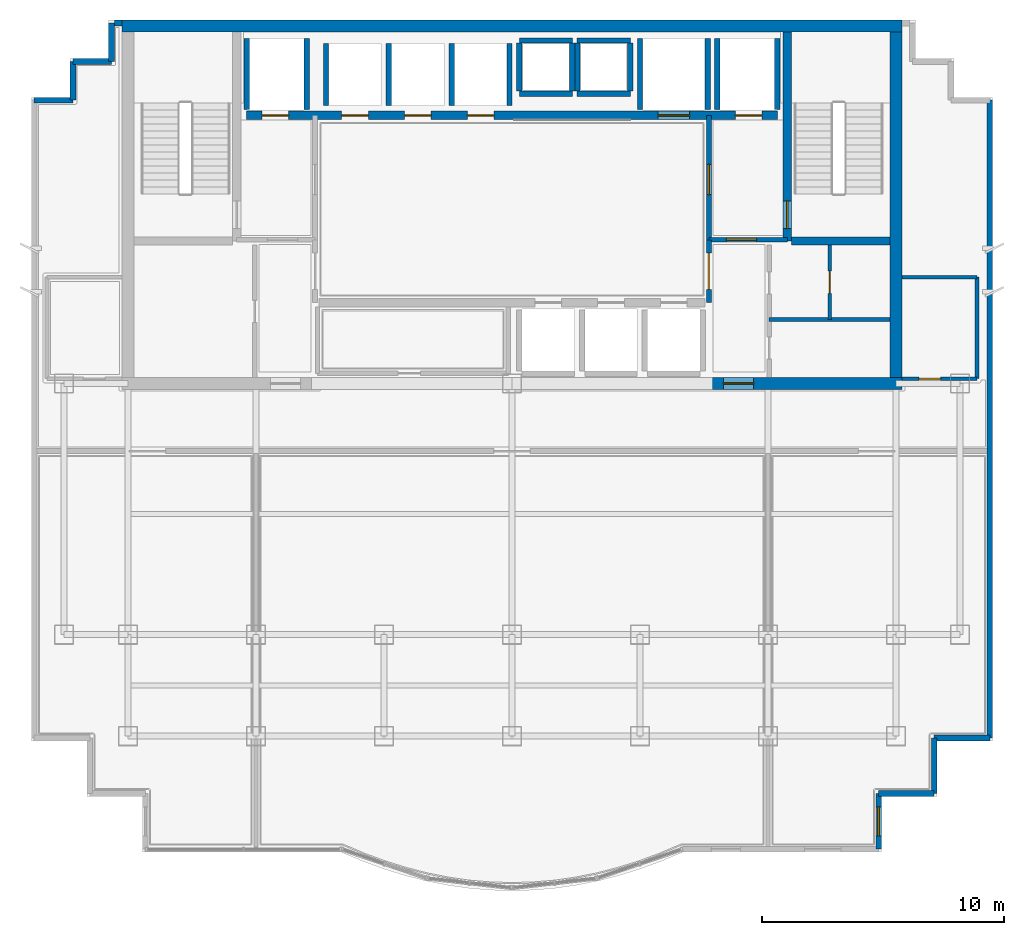
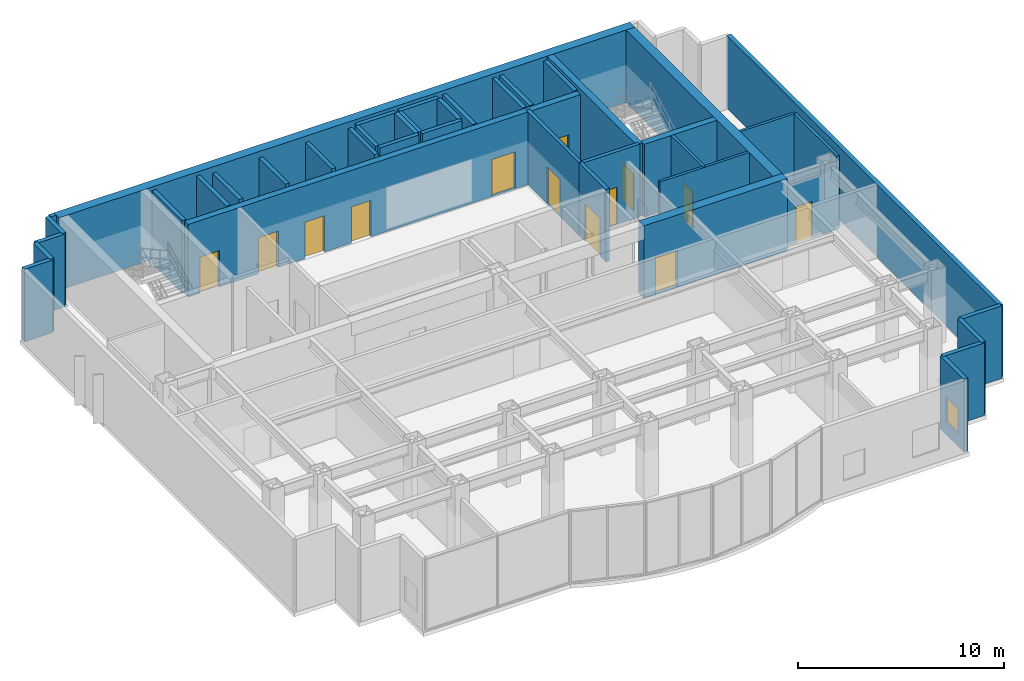
# One storey, part 5 of 8: 42 walls, 13 doors, 1 window, 14 openings.
"""IFC4 building model written with IfcOpenShell, lengths in metres."""

from ifc_helpers import new_model, si_unit, direction, frame, frame_2d, origin, place, context, subcontext, project, spatial, rectangle, extrude, material, layer, layer_set, type_object, element, fill, save


model = new_model("IFC4")

# Units and contexts
model_context = context("Model", 3, precision=1e-05, world=origin(), true_north=direction((0.0, 1.0)))
body_context = subcontext(model_context, "Body", "Model", "MODEL_VIEW")
ifc_project = project(units=[si_unit("LENGTHUNIT", "METRE"), si_unit("AREAUNIT", "SQUARE_METRE"), si_unit("VOLUMEUNIT", "CUBIC_METRE"), si_unit("PLANEANGLEUNIT", "RADIAN"), si_unit("MASSUNIT", "GRAM", prefix="KILO")], contexts=[model_context])

# Site, building, storey
site_placement = place(None, origin())
site = spatial("IfcSite", under=ifc_project, at=site_placement, CompositionType="ELEMENT")
building_placement = place(site_placement, origin())
building = spatial("IfcBuilding", under=site, at=building_placement, Name="Qianlan Lanfeng Residences", CompositionType="ELEMENT")
storey_placement = place(building_placement, frame((0.0, 0.0, 192.199951171875)))
storey = spatial("IfcBuildingStorey", under=building, at=storey_placement, Name="L52", CompositionType="ELEMENT", Elevation=192.199951171875)

# Wall, opening, door
ifc_material_1 = material(Name="Concrete C49", Category="concrete")
ifc_layer_1 = layer(ifc_material_1, 0.35009765625)
ifc_layer_set_1 = layer_set([ifc_layer_1], Name="Concrete C49")
wall_type_1 = type_object("IfcWallType", Name="CW-RC-350", PredefinedType="SHEAR", material=ifc_layer_set_1)
wall_1_placement = place(storey_placement, frame((37.89990234375, 31.10009765625, 0.0), z_axis=(0.0, 0.0, 1.0), x_axis=(0.0, 1.0, 0.0)))
wall_1 = element("IfcWall", 1, at=wall_1_placement, inside=storey, type_object=wall_type_1, Name="L52 Core Shear Wall ST2W", PredefinedType="SHEAR", context=body_context, shape_type="SweptSolid", body=[
    extrude(rectangle(XDim=8.64990234375, YDim=0.35009765625, at=frame_2d((4.324951171875, 0.0))), origin(), (0.0, 0.0, 1.0), 4.31005859375),
])
opening_1_placement = place(wall_1_placement, frame((0.510009765625, 0.0, 0.0)))
opening_1 = element("IfcOpeningElement", 2, at=opening_1_placement, cuts=wall_1, Name="Opening L52-D08", PredefinedType="OPENING", context=body_context, shape_type="SweptSolid", body=[
    extrude(rectangle(XDim=1.14990234375, YDim=2.199951171875, at=frame_2d((0.574951171875, 1.10009765625))), frame((0.0, 0.18505859375, 0.0), z_axis=(0.0, -1.0, 0.0), x_axis=(1.0, 0.0, 0.0)), (0.0, 0.0, 1.0), 0.3701171875),
])
ifc_material_2 = material(Name="Painted Galvanised Steel Fire Door", Category="steel")
door_type_1 = type_object("IfcDoorType", Name="DT-ST1", OperationType="NOTDEFINED", PredefinedType="DOOR", material=ifc_material_2)
door_1_placement = place(opening_1_placement, origin())
door_1 = element("IfcDoor", 3, at=door_1_placement, inside=storey, type_object=door_type_1, Name="L52 Exit Stair ST-2 Door L52-D08 (DT-ST1)", OperationType="SINGLE_SWING_RIGHT", OverallHeight=2.199951171875, OverallWidth=1.14990234375, PredefinedType="DOOR", context=body_context, shape_type="SweptSolid", body=[
    extrude(rectangle(XDim=1.14990234375, YDim=2.199951171875, at=frame_2d((0.574951171875, 1.10009765625))), frame((0.0, 0.02490234375, 0.0), z_axis=(0.0, -1.0, 0.0), x_axis=(1.0, 0.0, 0.0)), (0.0, 0.0, 1.0), 0.050048828125),
])
fill(opening_1, door_1)

# Wall
wall_2_placement = place(storey_placement, frame((38.074951171875, 31.10009765625, 0.0), z_axis=(0.0, 0.0, 1.0), x_axis=(1.0, 0.0, 0.0)))
element("IfcWall", 4, at=wall_2_placement, inside=storey, type_object=wall_type_1, Name="L52 Core Shear Wall ST2S", PredefinedType="SHEAR", context=body_context, shape_type="SweptSolid", body=[
    extrude(rectangle(XDim=4.074951171875, YDim=0.35009765625, at=frame_2d((2.03759765625, 0.0))), origin(), (0.0, 0.0, 1.0), 4.31005859375),
])

# Wall, openings, doors
wall_3_placement = place(storey_placement, frame((15.5, 36.300048828125, 0.0), z_axis=(0.0, 0.0, 1.0), x_axis=(1.0, 0.0, 0.0)))
wall_3 = element("IfcWall", 5, at=wall_3_placement, inside=storey, type_object=wall_type_1, Name="L52 Core Shear Wall LBN", PredefinedType="SHEAR", context=body_context, shape_type="SweptSolid", body=[
    extrude(rectangle(XDim=22.0, YDim=0.35009765625, at=frame_2d((11.0, 0.0))), origin(), (0.0, 0.0, 1.0), 4.31005859375),
])
opening_2_placement = place(wall_3_placement, frame((0.64990234375, 0.0, 0.0)))
opening_2 = element("IfcOpeningElement", 6, at=opening_2_placement, cuts=wall_3, Name="Opening L52-LD-FFL-1", PredefinedType="OPENING", context=body_context, shape_type="SweptSolid", body=[
    extrude(rectangle(XDim=1.10009765625, YDim=2.14990234375, at=frame_2d((0.550048828125, 1.074951171875))), frame((0.0, 0.18505859375, 0.0), z_axis=(0.0, -1.0, 0.0), x_axis=(1.0, 0.0, 0.0)), (0.0, 0.0, 1.0), 0.3701171875),
])
opening_3_placement = place(wall_3_placement, frame((20.25, 0.0, 0.0)))
opening_3 = element("IfcOpeningElement", 7, at=opening_3_placement, cuts=wall_3, Name="Opening L52-LD-FFL-2", PredefinedType="OPENING", context=body_context, shape_type="SweptSolid", body=[
    extrude(rectangle(XDim=1.10009765625, YDim=2.14990234375, at=frame_2d((0.550048828125, 1.074951171875))), frame((0.0, 0.18505859375, 0.0), z_axis=(0.0, -1.0, 0.0), x_axis=(1.0, 0.0, 0.0)), (0.0, 0.0, 1.0), 0.3701171875),
])
opening_4_placement = place(wall_3_placement, frame((17.050048828125, 0.0, 0.0)))
opening_4 = element("IfcOpeningElement", 8, at=opening_4_placement, cuts=wall_3, Name="Opening L52-LD-SVL-1", PredefinedType="OPENING", context=body_context, shape_type="SweptSolid", body=[
    extrude(rectangle(XDim=1.300048828125, YDim=2.199951171875, at=frame_2d((0.64990234375, 1.10009765625))), frame((0.0, 0.18505859375, 0.0), z_axis=(0.0, -1.0, 0.0), x_axis=(1.0, 0.0, 0.0)), (0.0, 0.0, 1.0), 0.3701171875),
])
opening_5_placement = place(wall_3_placement, frame((3.949951171875, 0.0, 0.0)))
opening_5 = element("IfcOpeningElement", 9, at=opening_5_placement, cuts=wall_3, Name="Opening L52-LD-PL-H1", PredefinedType="OPENING", context=body_context, shape_type="SweptSolid", body=[
    extrude(rectangle(XDim=1.10009765625, YDim=2.14990234375, at=frame_2d((0.550048828125, 1.074951171875))), frame((0.0, 0.18505859375, 0.0), z_axis=(0.0, -1.0, 0.0), x_axis=(1.0, 0.0, 0.0)), (0.0, 0.0, 1.0), 0.3701171875),
])
opening_6_placement = place(wall_3_placement, frame((6.550048828125, 0.0, 0.0)))
opening_6 = element("IfcOpeningElement", 10, at=opening_6_placement, cuts=wall_3, Name="Opening L52-LD-PL-H2", PredefinedType="OPENING", context=body_context, shape_type="SweptSolid", body=[
    extrude(rectangle(XDim=1.10009765625, YDim=2.14990234375, at=frame_2d((0.550048828125, 1.074951171875))), frame((0.0, 0.18505859375, 0.0), z_axis=(0.0, -1.0, 0.0), x_axis=(1.0, 0.0, 0.0)), (0.0, 0.0, 1.0), 0.3701171875),
])
opening_7_placement = place(wall_3_placement, frame((9.14990234375, 0.0, 0.0)))
opening_7 = element("IfcOpeningElement", 11, at=opening_7_placement, cuts=wall_3, Name="Opening L52-LD-PL-H3", PredefinedType="OPENING", context=body_context, shape_type="SweptSolid", body=[
    extrude(rectangle(XDim=1.10009765625, YDim=2.14990234375, at=frame_2d((0.550048828125, 1.074951171875))), frame((0.0, 0.18505859375, 0.0), z_axis=(0.0, -1.0, 0.0), x_axis=(1.0, 0.0, 0.0)), (0.0, 0.0, 1.0), 0.3701171875),
])
ifc_material_3 = material(Name="Brushed Stainless Steel Sliding Lift Door", Category="steel")
door_type_2 = type_object("IfcDoorType", Name="LD-01", OperationType="NOTDEFINED", PredefinedType="DOOR", material=ifc_material_3)
door_2_placement = place(opening_2_placement, frame((1.10009765625, 0.0, 0.0), z_axis=(0.0, 0.0, 1.0), x_axis=(-1.0, 0.0, 0.0)))
door_2 = element("IfcDoor", 12, at=door_2_placement, inside=storey, type_object=door_type_2, Name="L52 Elevator FFL-1 Sliding Landing Door", OperationType="DOUBLE_DOOR_SLIDING", OverallHeight=2.14990234375, OverallWidth=1.10009765625, PredefinedType="DOOR", context=body_context, shape_type="SweptSolid", body=[
    extrude(rectangle(XDim=1.10009765625, YDim=2.14990234375, at=frame_2d((0.550048828125, 1.074951171875))), frame((0.0, 0.02490234375, 0.0), z_axis=(0.0, -1.0, 0.0), x_axis=(1.0, 0.0, 0.0)), (0.0, 0.0, 1.0), 0.050048828125),
])
fill(opening_2, door_2)
door_3_placement = place(opening_3_placement, frame((1.10009765625, 0.0, 0.0), z_axis=(0.0, 0.0, 1.0), x_axis=(-1.0, 0.0, 0.0)))
door_3 = element("IfcDoor", 13, at=door_3_placement, inside=storey, type_object=door_type_2, Name="L52 Elevator FFL-2 Sliding Landing Door", OperationType="DOUBLE_DOOR_SLIDING", OverallHeight=2.14990234375, OverallWidth=1.10009765625, PredefinedType="DOOR", context=body_context, shape_type="SweptSolid", body=[
    extrude(rectangle(XDim=1.10009765625, YDim=2.14990234375, at=frame_2d((0.550048828125, 1.074951171875))), frame((0.0, 0.02490234375, 0.0), z_axis=(0.0, -1.0, 0.0), x_axis=(1.0, 0.0, 0.0)), (0.0, 0.0, 1.0), 0.050048828125),
])
fill(opening_3, door_3)
door_4_placement = place(opening_5_placement, frame((1.10009765625, 0.0, 0.0), z_axis=(0.0, 0.0, 1.0), x_axis=(-1.0, 0.0, 0.0)))
door_4 = element("IfcDoor", 14, at=door_4_placement, inside=storey, type_object=door_type_2, Name="L52 Elevator PL-H1 Sliding Landing Door", OperationType="DOUBLE_DOOR_SLIDING", OverallHeight=2.14990234375, OverallWidth=1.10009765625, PredefinedType="DOOR", context=body_context, shape_type="SweptSolid", body=[
    extrude(rectangle(XDim=1.10009765625, YDim=2.14990234375, at=frame_2d((0.550048828125, 1.074951171875))), frame((0.0, 0.02490234375, 0.0), z_axis=(0.0, -1.0, 0.0), x_axis=(1.0, 0.0, 0.0)), (0.0, 0.0, 1.0), 0.050048828125),
])
fill(opening_5, door_4)
door_5_placement = place(opening_6_placement, frame((1.10009765625, 0.0, 0.0), z_axis=(0.0, 0.0, 1.0), x_axis=(-1.0, 0.0, 0.0)))
door_5 = element("IfcDoor", 15, at=door_5_placement, inside=storey, type_object=door_type_2, Name="L52 Elevator PL-H2 Sliding Landing Door", OperationType="DOUBLE_DOOR_SLIDING", OverallHeight=2.14990234375, OverallWidth=1.10009765625, PredefinedType="DOOR", context=body_context, shape_type="SweptSolid", body=[
    extrude(rectangle(XDim=1.10009765625, YDim=2.14990234375, at=frame_2d((0.550048828125, 1.074951171875))), frame((0.0, 0.02490234375, 0.0), z_axis=(0.0, -1.0, 0.0), x_axis=(1.0, 0.0, 0.0)), (0.0, 0.0, 1.0), 0.050048828125),
])
fill(opening_6, door_5)
door_6_placement = place(opening_7_placement, frame((1.10009765625, 0.0, 0.0), z_axis=(0.0, 0.0, 1.0), x_axis=(-1.0, 0.0, 0.0)))
door_6 = element("IfcDoor", 16, at=door_6_placement, inside=storey, type_object=door_type_2, Name="L52 Elevator PL-H3 Sliding Landing Door", OperationType="DOUBLE_DOOR_SLIDING", OverallHeight=2.14990234375, OverallWidth=1.10009765625, PredefinedType="DOOR", context=body_context, shape_type="SweptSolid", body=[
    extrude(rectangle(XDim=1.10009765625, YDim=2.14990234375, at=frame_2d((0.550048828125, 1.074951171875))), frame((0.0, 0.02490234375, 0.0), z_axis=(0.0, -1.0, 0.0), x_axis=(1.0, 0.0, 0.0)), (0.0, 0.0, 1.0), 0.050048828125),
])
fill(opening_7, door_6)
door_type_3 = type_object("IfcDoorType", Name="LD-02", OperationType="NOTDEFINED", PredefinedType="DOOR", material=ifc_material_3)
door_7_placement = place(opening_4_placement, frame((1.300048828125, 0.0, 0.0), z_axis=(0.0, 0.0, 1.0), x_axis=(-1.0, 0.0, 0.0)))
door_7 = element("IfcDoor", 17, at=door_7_placement, inside=storey, type_object=door_type_3, Name="L52 Elevator SVL-1 Sliding Landing Door", OperationType="DOUBLE_DOOR_SLIDING", OverallHeight=2.199951171875, OverallWidth=1.300048828125, PredefinedType="DOOR", context=body_context, shape_type="SweptSolid", body=[
    extrude(rectangle(XDim=1.300048828125, YDim=2.199951171875, at=frame_2d((0.64990234375, 1.10009765625))), frame((0.0, 0.02490234375, 0.0), z_axis=(0.0, -1.0, 0.0), x_axis=(1.0, 0.0, 0.0)), (0.0, 0.0, 1.0), 0.050048828125),
])
fill(opening_4, door_7)

# Walls
ifc_material_4 = material(Name="Concrete C70", Category="concrete")
ifc_layer_2 = layer(ifc_material_4, 0.5)
ifc_layer_set_2 = layer_set([ifc_layer_2], Name="Concrete C70")
wall_type_2 = type_object("IfcWallType", Name="CW-RC-500", PredefinedType="SHEAR", material=ifc_layer_set_2)
wall_4_placement = place(storey_placement, frame((10.35009765625, 40.0, 0.0), z_axis=(0.0, 0.0, 1.0), x_axis=(1.0, 0.0, 0.0)))
element("IfcWall", 18, at=wall_4_placement, inside=storey, type_object=wall_type_2, Name="L52 Core Shear Wall N", PredefinedType="SHEAR", context=body_context, shape_type="SweptSolid", body=[
    extrude(rectangle(XDim=32.2998046875, YDim=0.5, at=frame_2d((16.14990234375, 0.0))), origin(), (0.0, 0.0, 1.0), 4.31005859375),
])
wall_5_placement = place(storey_placement, frame((42.39990234375, 25.449951171875, 0.0), z_axis=(0.0, 0.0, 1.0), x_axis=(0.0, 1.0, 0.0)))
element("IfcWall", 19, at=wall_5_placement, inside=storey, type_object=wall_type_2, Name="L52 Core Shear Wall E", PredefinedType="SHEAR", context=body_context, shape_type="SweptSolid", body=[
    extrude(rectangle(XDim=14.300048828125, YDim=0.5, at=frame_2d((7.14990234375, 0.0))), origin(), (0.0, 0.0, 1.0), 4.31005859375),
])

# Wall, opening, door
wall_6_placement = place(storey_placement, frame((34.60009765625, 25.199951171875, 0.0), z_axis=(0.0, 0.0, 1.0), x_axis=(1.0, 0.0, 0.0)))
wall_6 = element("IfcWall", 20, at=wall_6_placement, inside=storey, type_object=wall_type_2, Name="L52 Core Shear Wall SE", PredefinedType="SHEAR", context=body_context, shape_type="SweptSolid", body=[
    extrude(rectangle(XDim=8.0498046875, YDim=0.5, at=frame_2d((4.02490234375, 0.0))), origin(), (0.0, 0.0, 1.0), 4.31005859375),
])
opening_8_placement = place(wall_6_placement, frame((0.64990234375, 0.0, 0.0)))
opening_8 = element("IfcOpeningElement", 21, at=opening_8_placement, cuts=wall_6, Name="Opening L52-D02", PredefinedType="OPENING", context=body_context, shape_type="SweptSolid", body=[
    extrude(rectangle(XDim=1.25, YDim=2.199951171875, at=frame_2d((0.625, 1.10009765625))), frame((0.0, 0.260009765625, 0.0), z_axis=(0.0, -1.0, 0.0), x_axis=(1.0, 0.0, 0.0)), (0.0, 0.0, 1.0), 0.52001953125),
])
door_type_4 = type_object("IfcDoorType", Name="DT-FFL", OperationType="NOTDEFINED", PredefinedType="DOOR", material=ifc_material_2)
door_8_placement = place(opening_8_placement, frame((1.25, 0.0, 0.0), z_axis=(0.0, 0.0, 1.0), x_axis=(-1.0, 0.0, 0.0)))
door_8 = element("IfcDoor", 22, at=door_8_placement, inside=storey, type_object=door_type_4, Name="L52 East Core Lobby Smoke Door L52-D02 (DT-FFL)", OperationType="SINGLE_SWING_LEFT", OverallHeight=2.199951171875, OverallWidth=1.25, PredefinedType="DOOR", context=body_context, shape_type="SweptSolid", body=[
    extrude(rectangle(XDim=1.25, YDim=2.199951171875, at=frame_2d((0.625, 1.10009765625))), frame((0.0, 0.02490234375, 0.0), z_axis=(0.0, -1.0, 0.0), x_axis=(1.0, 0.0, 0.0)), (0.0, 0.0, 1.0), 0.050048828125),
])
fill(opening_8, door_8)

# Wall, opening, window
ifc_material_5 = material(Name="Concrete C42", Category="concrete")
ifc_layer_3 = layer(ifc_material_5, 0.239990234375)
ifc_layer_set_3 = layer_set([ifc_layer_3], Name="Concrete C42")
wall_type_3 = type_object("IfcWallType", Name="EW-240", PredefinedType="SOLIDWALL", material=ifc_layer_set_3)
wall_7_placement = place(storey_placement, frame((41.679931640625, 5.919921875, 0.0), z_axis=(0.0, 0.0, 1.0), x_axis=(0.0, 1.0, 0.0)))
wall_7 = element("IfcWall", 23, at=wall_7_placement, inside=storey, type_object=wall_type_3, Name="L52 Exterior Facade Spandrel Wall 6", PredefinedType="SOLIDWALL", context=body_context, shape_type="SweptSolid", body=[
    extrude(rectangle(XDim=2.300048828125, YDim=0.239990234375, at=frame_2d((1.14990234375, 0.0))), origin(), (0.0, 0.0, 1.0), 4.31005859375),
])
opening_9_placement = place(wall_7_placement, frame((0.550048828125, 0.0, 0.75)))
opening_9 = element("IfcOpeningElement", 24, at=opening_9_placement, cuts=wall_7, Name="Opening W-03", PredefinedType="OPENING", context=body_context, shape_type="SweptSolid", body=[
    extrude(rectangle(XDim=1.199951171875, YDim=1.5, at=frame_2d((0.60009765625, 0.75))), frame((0.0, 0.1298828125, 0.0), z_axis=(0.0, -1.0, 0.0), x_axis=(1.0, 0.0, 0.0)), (0.0, 0.0, 1.0), 0.260009765625),
])
ifc_material_6 = material(Name="Anodised Bronze Aluminium Framed Double Glazing", Category="aluminium")
window_type = type_object("IfcWindowType", Name="W-03", PartitioningType="SINGLE_PANEL", PredefinedType="WINDOW", material=ifc_material_6)
window_placement = place(opening_9_placement, origin())
window = element("IfcWindow", 25, at=window_placement, inside=storey, type_object=window_type, Name="L52 Facade Punched Window W-03", OverallHeight=1.5, OverallWidth=1.199951171875, PartitioningType="SINGLE_PANEL", PredefinedType="WINDOW", context=body_context, shape_type="SweptSolid", body=[
    extrude(rectangle(XDim=1.199951171875, YDim=1.5, at=frame_2d((0.60009765625, 0.75))), frame((0.0, 0.030029296875, 0.0), z_axis=(0.0, -1.0, 0.0), x_axis=(1.0, 0.0, 0.0)), (0.0, 0.0, 1.0), 0.06005859375),
])
fill(opening_9, window)

# Walls
for number, where, z_axis, x_axis, name in (
    (26, (41.679931640625, 8.219970703125, 0.0), (0.0, 0.0, 1.0), (1.0, 0.0, 0.0), "L52 Exterior Facade Spandrel Wall 7"),
    (27, (43.97998046875, 8.219970703125, 0.0), (0.0, 0.0, 1.0), (0.0, 1.0, 0.0), "L52 Exterior Facade Spandrel Wall 8"),
    (28, (43.97998046875, 10.52001953125, 0.0), (0.0, 0.0, 1.0), (1.0, 0.0, 0.0), "L52 Exterior Facade Spandrel Wall 9"),
):
    element("IfcWall", number, at=place(storey_placement, frame(where, z_axis=z_axis, x_axis=x_axis)), inside=storey, type_object=wall_type_3, Name=name, PredefinedType="SOLIDWALL", context=body_context, shape_type="SweptSolid", body=[
        extrude(rectangle(XDim=2.300048828125, YDim=0.239990234375, at=frame_2d((1.14990234375, 0.0))), origin(), (0.0, 0.0, 1.0), 4.31005859375),
    ])
wall_8_placement = place(storey_placement, frame((46.280029296875, 10.52001953125, 0.0), z_axis=(0.0, 0.0, 1.0), x_axis=(0.0, 1.0, 0.0)))
element("IfcWall", 29, at=wall_8_placement, inside=storey, type_object=wall_type_3, Name="L52 Exterior Facade Spandrel Wall 10", PredefinedType="SOLIDWALL", context=body_context, shape_type="SweptSolid", body=[
    extrude(rectangle(XDim=26.409912109375, YDim=0.239990234375, at=frame_2d((13.205078125, 0.0))), origin(), (0.0, 0.0, 1.0), 4.31005859375),
])
wall_9_placement = place(storey_placement, frame((10.35009765625, 40.1298828125, 0.0), z_axis=(0.0, 0.0, 1.0), x_axis=(-1.0, 0.0, 0.0)))
element("IfcWall", 30, at=wall_9_placement, inside=storey, type_object=wall_type_3, Name="L52 North Wing Exterior Wall W", PredefinedType="SOLIDWALL", context=body_context, shape_type="SweptSolid", body=[
    extrude(rectangle(XDim=0.300048828125, YDim=0.239990234375, at=frame_2d((0.14990234375, 0.0))), origin(), (0.0, 0.0, 1.0), 4.31005859375),
])
for number, where, z_axis, x_axis, name in (
    (31, (9.919921875, 40.1298828125, 0.0), (0.0, 0.0, 1.0), (0.0, -1.0, 0.0), "L52 Exterior Facade Spandrel Wall 17"),
    (32, (9.919921875, 38.530029296875, 0.0), (0.0, 0.0, 1.0), (-1.0, 0.0, 0.0), "L52 Exterior Facade Spandrel Wall 18"),
):
    element("IfcWall", number, at=place(storey_placement, frame(where, z_axis=z_axis, x_axis=x_axis)), inside=storey, type_object=wall_type_3, Name=name, PredefinedType="SOLIDWALL", context=body_context, shape_type="SweptSolid", body=[
        extrude(rectangle(XDim=1.599853515625, YDim=0.239990234375, at=frame_2d((0.7998046875, 0.0))), origin(), (0.0, 0.0, 1.0), 4.31005859375),
    ])
for number, where, z_axis, x_axis, name in (
    (33, (8.320068359375, 38.530029296875, 0.0), (0.0, 0.0, 1.0), (0.0, -1.0, 0.0), "L52 Exterior Facade Spandrel Wall 19"),
    (34, (8.320068359375, 36.929931640625, 0.0), (0.0, 0.0, 1.0), (-1.0, 0.0, 0.0), "L52 Exterior Facade Spandrel Wall 20"),
):
    element("IfcWall", number, at=place(storey_placement, frame(where, z_axis=z_axis, x_axis=x_axis)), inside=storey, type_object=wall_type_3, Name=name, PredefinedType="SOLIDWALL", context=body_context, shape_type="SweptSolid", body=[
        extrude(rectangle(XDim=1.60009765625, YDim=0.239990234375, at=frame_2d((0.800048828125, 0.0))), origin(), (0.0, 0.0, 1.0), 4.31005859375),
    ])
ifc_material_7 = material(Name="Acoustic Drywall Partition 150 mm")
ifc_layer_4 = layer(ifc_material_7, 0.14990234375)
ifc_layer_set_4 = layer_set([ifc_layer_4], Name="Acoustic Drywall Partition 150 mm")
wall_type_4 = type_object("IfcWallType", Name="PW-150", PredefinedType="PARTITIONING", material=ifc_layer_set_4)
wall_10_placement = place(storey_placement, frame((37.14990234375, 27.85009765625, 0.0), z_axis=(0.0, 0.0, 1.0), x_axis=(1.0, 0.0, 0.0)))
element("IfcWall", 35, at=wall_10_placement, inside=storey, type_object=wall_type_4, Name="L52 Core East H Split", PredefinedType="PARTITIONING", context=body_context, shape_type="SweptSolid", body=[
    extrude(rectangle(XDim=5.0, YDim=0.14990234375, at=frame_2d((2.5, 0.0))), origin(), (0.0, 0.0, 1.0), 4.31005859375),
])

# Wall, opening, door
wall_11_placement = place(storey_placement, frame((39.64990234375, 27.85009765625, 0.0), z_axis=(0.0, 0.0, 1.0), x_axis=(0.0, 1.0, 0.0)))
wall_11 = element("IfcWall", 36, at=wall_11_placement, inside=storey, type_object=wall_type_4, Name="L52 Core East V Split", PredefinedType="PARTITIONING", context=body_context, shape_type="SweptSolid", body=[
    extrude(rectangle(XDim=3.074951171875, YDim=0.14990234375, at=frame_2d((1.53759765625, 0.0))), origin(), (0.0, 0.0, 1.0), 4.31005859375),
])
opening_10_placement = place(wall_11_placement, frame((1.077880859375, 0.0, 0.0)))
opening_10 = element("IfcOpeningElement", 37, at=opening_10_placement, cuts=wall_11, Name="Opening L52-D12", PredefinedType="OPENING", context=body_context, shape_type="SweptSolid", body=[
    extrude(rectangle(XDim=0.919921875, YDim=2.14990234375, at=frame_2d((0.4599609375, 1.074951171875))), frame((0.0, 0.0849609375, 0.0), z_axis=(0.0, -1.0, 0.0), x_axis=(1.0, 0.0, 0.0)), (0.0, 0.0, 1.0), 0.169921875),
])
ifc_material_8 = material(Name="Glazed Timber Kitchen/Study Door", Category="wood")
door_type_5 = type_object("IfcDoorType", Name="DT-INT", OperationType="NOTDEFINED", PredefinedType="DOOR", material=ifc_material_8)
door_9_placement = place(opening_10_placement, origin())
door_9 = element("IfcDoor", 38, at=door_9_placement, inside=storey, type_object=door_type_5, Name="L52 Inner Supply Closet Door L52-D12 (DT-INT)", OperationType="SINGLE_SWING_LEFT", OverallHeight=2.14990234375, OverallWidth=0.919921875, PredefinedType="DOOR", context=body_context, shape_type="SweptSolid", body=[
    extrude(rectangle(XDim=0.919921875, YDim=2.14990234375, at=frame_2d((0.4599609375, 1.074951171875))), frame((0.0, 0.02490234375, 0.0), z_axis=(0.0, -1.0, 0.0), x_axis=(1.0, 0.0, 0.0)), (0.0, 0.0, 1.0), 0.050048828125),
])
fill(opening_10, door_9)

wall_12_placement = place(storey_placement, frame((42.64990234375, 25.39990234375, 0.0), z_axis=(0.0, 0.0, 1.0), x_axis=(1.0, 0.0, 0.0)))
wall_12 = element("IfcWall", 39, at=wall_12_placement, inside=storey, type_object=wall_type_4, Name="L52 Accessible WC South Wall", PredefinedType="PARTITIONING", context=body_context, shape_type="SweptSolid", body=[
    extrude(rectangle(XDim=3.10009765625, YDim=0.14990234375, at=frame_2d((1.550048828125, 0.0))), origin(), (0.0, 0.0, 1.0), 3.655029296875),
])
opening_11_placement = place(wall_12_placement, frame((0.699951171875, 0.0, 0.0)))
opening_11 = element("IfcOpeningElement", 40, at=opening_11_placement, cuts=wall_12, Name="Opening L52-D20", PredefinedType="OPENING", context=body_context, shape_type="SweptSolid", body=[
    extrude(rectangle(XDim=0.89990234375, YDim=2.14990234375, at=frame_2d((0.449951171875, 1.074951171875))), frame((0.0, 0.0849609375, 0.0), z_axis=(0.0, -1.0, 0.0), x_axis=(1.0, 0.0, 0.0)), (0.0, 0.0, 1.0), 0.169921875),
])
ifc_material_9 = material(Name="Moisture-Resistant Timber Leaf", Category="wood")
door_type_6 = type_object("IfcDoorType", Name="DT-WC", OperationType="NOTDEFINED", PredefinedType="DOOR", material=ifc_material_9)
door_10_placement = place(opening_11_placement, origin())
door_10 = element("IfcDoor", 41, at=door_10_placement, inside=storey, type_object=door_type_6, Name="L52 Accessible WC Door L52-D20 (DT-WC)", OperationType="SINGLE_SWING_LEFT", OverallHeight=2.14990234375, OverallWidth=0.89990234375, PredefinedType="DOOR", context=body_context, shape_type="SweptSolid", body=[
    extrude(rectangle(XDim=0.89990234375, YDim=2.14990234375, at=frame_2d((0.449951171875, 1.074951171875))), frame((0.0, 0.02490234375, 0.0), z_axis=(0.0, -1.0, 0.0), x_axis=(1.0, 0.0, 0.0)), (0.0, 0.0, 1.0), 0.050048828125),
])
fill(opening_11, door_10)

# Walls
wall_13_placement = place(storey_placement, frame((45.75, 25.39990234375, 0.0), z_axis=(0.0, 0.0, 1.0), x_axis=(0.0, 1.0, 0.0)))
element("IfcWall", 42, at=wall_13_placement, inside=storey, type_object=wall_type_4, Name="L52 Accessible WC East Wall", PredefinedType="PARTITIONING", context=body_context, shape_type="SweptSolid", body=[
    extrude(rectangle(XDim=4.2001953125, YDim=0.14990234375, at=frame_2d((2.10009765625, 0.0))), origin(), (0.0, 0.0, 1.0), 4.31005859375),
])
wall_14_placement = place(storey_placement, frame((42.64990234375, 29.60009765625, 0.0), z_axis=(0.0, 0.0, 1.0), x_axis=(1.0, 0.0, 0.0)))
element("IfcWall", 43, at=wall_14_placement, inside=storey, type_object=wall_type_4, Name="L52 Accessible WC North Wall", PredefinedType="PARTITIONING", context=body_context, shape_type="SweptSolid", body=[
    extrude(rectangle(XDim=3.10009765625, YDim=0.14990234375, at=frame_2d((1.550048828125, 0.0))), origin(), (0.0, 0.0, 1.0), 4.31005859375),
])

# Wall, opening, door
ifc_material_10 = material(Name="Autoclaved Aerated Concrete Blockwork 200 mm", Category="masonry")
ifc_layer_5 = layer(ifc_material_10, 0.199951171875)
ifc_layer_set_5 = layer_set([ifc_layer_5], Name="Autoclaved Aerated Concrete Blockwork 200 mm")
wall_type_5 = type_object("IfcWallType", Name="PW-200", PredefinedType="PARTITIONING", material=ifc_layer_set_5)
wall_15_placement = place(storey_placement, frame((34.64990234375, 31.14990234375, 0.0), z_axis=(0.0, 0.0, 1.0), x_axis=(1.0, 0.0, 0.0)))
wall_15 = element("IfcWall", 44, at=wall_15_placement, inside=storey, type_object=wall_type_5, Name="L52 Firefighting Lobby 2 South Wall", PredefinedType="PARTITIONING", context=body_context, shape_type="SweptSolid", body=[
    extrude(rectangle(XDim=3.25, YDim=0.199951171875, at=frame_2d((1.625, 0.0))), origin(), (0.0, 0.0, 1.0), 4.31005859375),
])
opening_12_placement = place(wall_15_placement, frame((0.72509765625, 0.0, 0.0)))
opening_12 = element("IfcOpeningElement", 45, at=opening_12_placement, cuts=wall_15, Name="Opening L52-D05", PredefinedType="OPENING", context=body_context, shape_type="SweptSolid", body=[
    extrude(rectangle(XDim=1.25, YDim=2.199951171875, at=frame_2d((0.625, 1.10009765625))), frame((0.0, 0.10986328125, 0.0), z_axis=(0.0, -1.0, 0.0), x_axis=(1.0, 0.0, 0.0)), (0.0, 0.0, 1.0), 0.219970703125),
])
door_11_placement = place(opening_12_placement, origin())
door_11 = element("IfcDoor", 46, at=door_11_placement, inside=storey, type_object=door_type_4, Name="L52 Firefighting Lobby 2 Entry Door L52-D05 (DT-FFL)", OperationType="SINGLE_SWING_RIGHT", OverallHeight=2.199951171875, OverallWidth=1.25, PredefinedType="DOOR", context=body_context, shape_type="SweptSolid", body=[
    extrude(rectangle(XDim=1.25, YDim=2.199951171875, at=frame_2d((0.625, 1.10009765625))), frame((0.0, 0.02490234375, 0.0), z_axis=(0.0, -1.0, 0.0), x_axis=(1.0, 0.0, 0.0)), (0.0, 0.0, 1.0), 0.050048828125),
])
fill(opening_12, door_11)

wall_16_placement = place(storey_placement, frame((34.64990234375, 31.14990234375, 0.0), z_axis=(0.0, 0.0, 1.0), x_axis=(0.0, 1.0, 0.0)))
wall_16 = element("IfcWall", 47, at=wall_16_placement, inside=storey, type_object=wall_type_5, Name="L52 Firefighting Lobby 2 West Wall", PredefinedType="PARTITIONING", context=body_context, shape_type="SweptSolid", body=[
    extrude(rectangle(XDim=5.150146484375, YDim=0.199951171875, at=frame_2d((2.5751953125, 0.0))), origin(), (0.0, 0.0, 1.0), 4.31005859375),
])
opening_13_placement = place(wall_16_placement, frame((1.875, 0.0, 0.0)))
opening_13 = element("IfcOpeningElement", 48, at=opening_13_placement, cuts=wall_16, Name="Opening L52-D06", PredefinedType="OPENING", context=body_context, shape_type="SweptSolid", body=[
    extrude(rectangle(XDim=1.25, YDim=2.199951171875, at=frame_2d((0.625, 1.10009765625))), frame((0.0, 0.10986328125, 0.0), z_axis=(0.0, -1.0, 0.0), x_axis=(1.0, 0.0, 0.0)), (0.0, 0.0, 1.0), 0.219970703125),
])
door_12_placement = place(opening_13_placement, origin())
door_12 = element("IfcDoor", 49, at=door_12_placement, inside=storey, type_object=door_type_4, Name="L52 Firefighting Lobby 2 Lift Lobby Door L52-D06 (DT-FFL)", OperationType="SINGLE_SWING_LEFT", OverallHeight=2.199951171875, OverallWidth=1.25, PredefinedType="DOOR", context=body_context, shape_type="SweptSolid", body=[
    extrude(rectangle(XDim=1.25, YDim=2.199951171875, at=frame_2d((0.625, 1.10009765625))), frame((0.0, 0.02490234375, 0.0), z_axis=(0.0, -1.0, 0.0), x_axis=(1.0, 0.0, 0.0)), (0.0, 0.0, 1.0), 0.050048828125),
])
fill(opening_13, door_12)

wall_17_placement = place(storey_placement, frame((34.64990234375, 28.550048828125, 0.0), z_axis=(0.0, 0.0, 1.0), x_axis=(0.0, 1.0, 0.0)))
wall_17 = element("IfcWall", 50, at=wall_17_placement, inside=storey, type_object=wall_type_5, Name="L52 Lift Lobby East Connector Wall", PredefinedType="PARTITIONING", context=body_context, shape_type="SweptSolid", body=[
    extrude(rectangle(XDim=2.599853515625, YDim=0.199951171875, at=frame_2d((1.2998046875, 0.0))), origin(), (0.0, 0.0, 1.0), 4.31005859375),
])
opening_14_placement = place(wall_17_placement, frame((0.550048828125, 0.0, 0.0)))
opening_14 = element("IfcOpeningElement", 51, at=opening_14_placement, cuts=wall_17, Name="Opening L52-D14", PredefinedType="OPENING", context=body_context, shape_type="SweptSolid", body=[
    extrude(rectangle(XDim=1.5, YDim=2.25, at=frame_2d((0.75, 1.125))), frame((0.0, 0.10986328125, 0.0), z_axis=(0.0, -1.0, 0.0), x_axis=(1.0, 0.0, 0.0)), (0.0, 0.0, 1.0), 0.219970703125),
])
ifc_material_11 = material(Name="Timber Veneer Acoustic Fire Door", Category="wood")
door_type_7 = type_object("IfcDoorType", Name="DT-COR1", OperationType="NOTDEFINED", PredefinedType="DOOR", material=ifc_material_11)
door_13_placement = place(opening_14_placement, frame((1.5, 0.0, 0.0), z_axis=(0.0, 0.0, 1.0), x_axis=(-1.0, 0.0, 0.0)))
door_13 = element("IfcDoor", 52, at=door_13_placement, inside=storey, type_object=door_type_7, Name="L52 Lift Lobby East Portal Door L52-D14 (DT-COR1)", OperationType="DOUBLE_DOOR_SINGLE_SWING", OverallHeight=2.25, OverallWidth=1.5, PredefinedType="DOOR", context=body_context, shape_type="SweptSolid", body=[
    extrude(rectangle(XDim=1.5, YDim=2.25, at=frame_2d((0.75, 1.125))), frame((0.0, 0.02490234375, 0.0), z_axis=(0.0, -1.0, 0.0), x_axis=(1.0, 0.0, 0.0)), (0.0, 0.0, 1.0), 0.050048828125),
])
fill(opening_14, door_13)

# Walls
ifc_layer_6 = layer(ifc_material_1, 0.219970703125)
ifc_layer_set_6 = layer_set([ifc_layer_6], Name="Concrete C49")
wall_type_6 = type_object("IfcWallType", Name="SHW-220", PredefinedType="SOLIDWALL", material=ifc_layer_set_6)
for number, where, z_axis, x_axis, name in (
    (53, (15.52001953125, 36.550048828125, 0.0), (0.0, 0.0, 1.0), (0.0, 1.0, 0.0), "L52 Lift FFL-1 Shaft Wall W"),
    (54, (18.0, 36.550048828125, 0.0), (0.0, 0.0, 1.0), (0.0, 1.0, 0.0), "L52 Lift FFL-1 Shaft Wall E"),
    (55, (35.0, 36.550048828125, 0.0), (0.0, 0.0, 1.0), (0.0, 1.0, 0.0), "L52 Lift FFL-2 Shaft Wall W"),
    (56, (37.47998046875, 36.550048828125, 0.0), (0.0, 0.0, 1.0), (0.0, 1.0, 0.0), "L52 Lift FFL-2 Shaft Wall E"),
    (57, (31.800048828125, 36.550048828125, 0.0), (0.0, 0.0, 1.0), (0.0, 1.0, 0.0), "L52 Lift SVL-1 Shaft Wall W"),
    (58, (34.60009765625, 36.550048828125, 0.0), (0.0, 0.0, 1.0), (0.0, 1.0, 0.0), "L52 Lift SVL-1 Shaft Wall E"),
):
    element("IfcWall", number, at=place(storey_placement, frame(where, z_axis=z_axis, x_axis=x_axis)), inside=storey, type_object=wall_type_6, Name=name, PredefinedType="SOLIDWALL", context=body_context, shape_type="SweptSolid", body=[
        extrude(rectangle(XDim=2.929931640625, YDim=0.219970703125, at=frame_2d((1.46484375, 0.0))), origin(), (0.0, 0.0, 1.0), 4.31005859375),
    ])
for number, where, z_axis, x_axis, name in (
    (59, (18.800048828125, 36.719970703125, 0.0), (0.0, 0.0, 1.0), (0.0, 1.0, 0.0), "L52 Lift PL-H1 Shaft Wall W"),
    (60, (21.39990234375, 36.719970703125, 0.0), (0.0, 0.0, 1.0), (0.0, 1.0, 0.0), "L52 Lift PL-H2 Shaft Wall W"),
    (61, (24.0, 36.719970703125, 0.0), (0.0, 0.0, 1.0), (0.0, 1.0, 0.0), "L52 Lift PL-H3 Shaft Wall W"),
    (62, (26.39990234375, 36.719970703125, 0.0), (0.0, 0.0, 1.0), (0.0, 1.0, 0.0), "L52 Lift PL-H3 Shaft Wall E"),
):
    element("IfcWall", number, at=place(storey_placement, frame(where, z_axis=z_axis, x_axis=x_axis)), inside=storey, type_object=wall_type_6, Name=name, PredefinedType="SOLIDWALL", context=body_context, shape_type="SweptSolid", body=[
        extrude(rectangle(XDim=2.56005859375, YDim=0.219970703125, at=frame_2d((1.280029296875, 0.0))), origin(), (0.0, 0.0, 1.0), 4.31005859375),
    ])
for number, where, z_axis, x_axis, name in (
    (63, (26.800048828125, 37.31005859375, 0.0), (0.0, 0.0, 1.0), (0.0, 1.0, 0.0), "L52 MEP Riser MEP-R1 Shaft Wall W"),
    (64, (29.0, 37.31005859375, 0.0), (0.0, 0.0, 1.0), (0.0, 1.0, 0.0), "L52 MEP Riser MEP-R1 Shaft Wall E"),
):
    element("IfcWall", number, at=place(storey_placement, frame(where, z_axis=z_axis, x_axis=x_axis)), inside=storey, type_object=wall_type_6, Name=name, PredefinedType="SOLIDWALL", context=body_context, shape_type="SweptSolid", body=[
        extrude(rectangle(XDim=1.97998046875, YDim=0.219970703125, at=frame_2d((0.989990234375, 0.0))), origin(), (0.0, 0.0, 1.0), 4.31005859375),
    ])
for number, where, z_axis, x_axis, name in (
    (65, (26.800048828125, 39.39990234375, 0.0), (0.0, 0.0, 1.0), (1.0, 0.0, 0.0), "L52 MEP Riser MEP-R1 Shaft Wall N"),
    (66, (26.800048828125, 37.199951171875, 0.0), (0.0, 0.0, 1.0), (1.0, 0.0, 0.0), "L52 MEP Riser MEP-R1 Shaft Wall S"),
):
    element("IfcWall", number, at=place(storey_placement, frame(where, z_axis=z_axis, x_axis=x_axis)), inside=storey, type_object=wall_type_6, Name=name, PredefinedType="SOLIDWALL", context=body_context, shape_type="SweptSolid", body=[
        extrude(rectangle(XDim=2.199951171875, YDim=0.219970703125, at=frame_2d((1.10009765625, 0.0))), origin(), (0.0, 0.0, 1.0), 4.31005859375),
    ])
for number, where, z_axis, x_axis, name in (
    (67, (29.199951171875, 37.31005859375, 0.0), (0.0, 0.0, 1.0), (0.0, 1.0, 0.0), "L52 MEP Riser MEP-R2 Shaft Wall W"),
    (68, (31.39990234375, 37.31005859375, 0.0), (0.0, 0.0, 1.0), (0.0, 1.0, 0.0), "L52 MEP Riser MEP-R2 Shaft Wall E"),
):
    element("IfcWall", number, at=place(storey_placement, frame(where, z_axis=z_axis, x_axis=x_axis)), inside=storey, type_object=wall_type_6, Name=name, PredefinedType="SOLIDWALL", context=body_context, shape_type="SweptSolid", body=[
        extrude(rectangle(XDim=1.97998046875, YDim=0.219970703125, at=frame_2d((0.989990234375, 0.0))), origin(), (0.0, 0.0, 1.0), 4.31005859375),
    ])
for number, where, z_axis, x_axis, name in (
    (69, (29.199951171875, 39.39990234375, 0.0), (0.0, 0.0, 1.0), (1.0, 0.0, 0.0), "L52 MEP Riser MEP-R2 Shaft Wall N"),
    (70, (29.199951171875, 37.199951171875, 0.0), (0.0, 0.0, 1.0), (1.0, 0.0, 0.0), "L52 MEP Riser MEP-R2 Shaft Wall S"),
):
    element("IfcWall", number, at=place(storey_placement, frame(where, z_axis=z_axis, x_axis=x_axis)), inside=storey, type_object=wall_type_6, Name=name, PredefinedType="SOLIDWALL", context=body_context, shape_type="SweptSolid", body=[
        extrude(rectangle(XDim=2.199951171875, YDim=0.219970703125, at=frame_2d((1.10009765625, 0.0))), origin(), (0.0, 0.0, 1.0), 4.31005859375),
    ])

save(model, "model.ifc")
